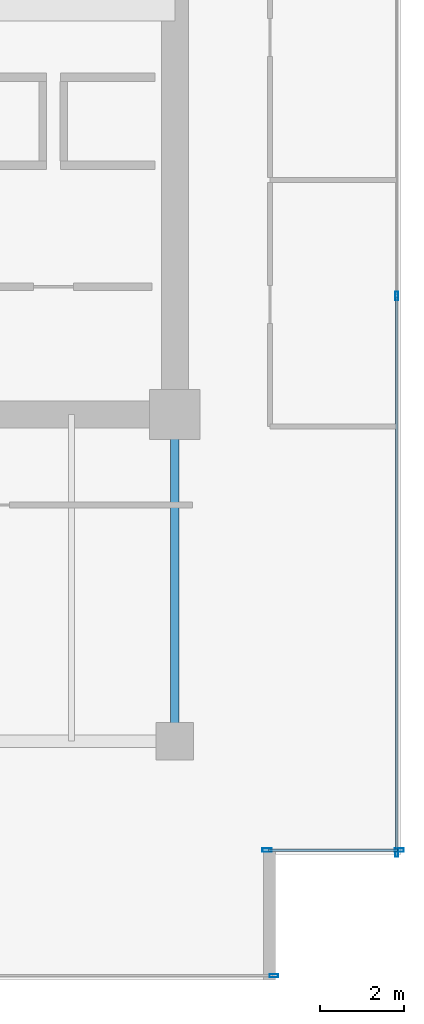
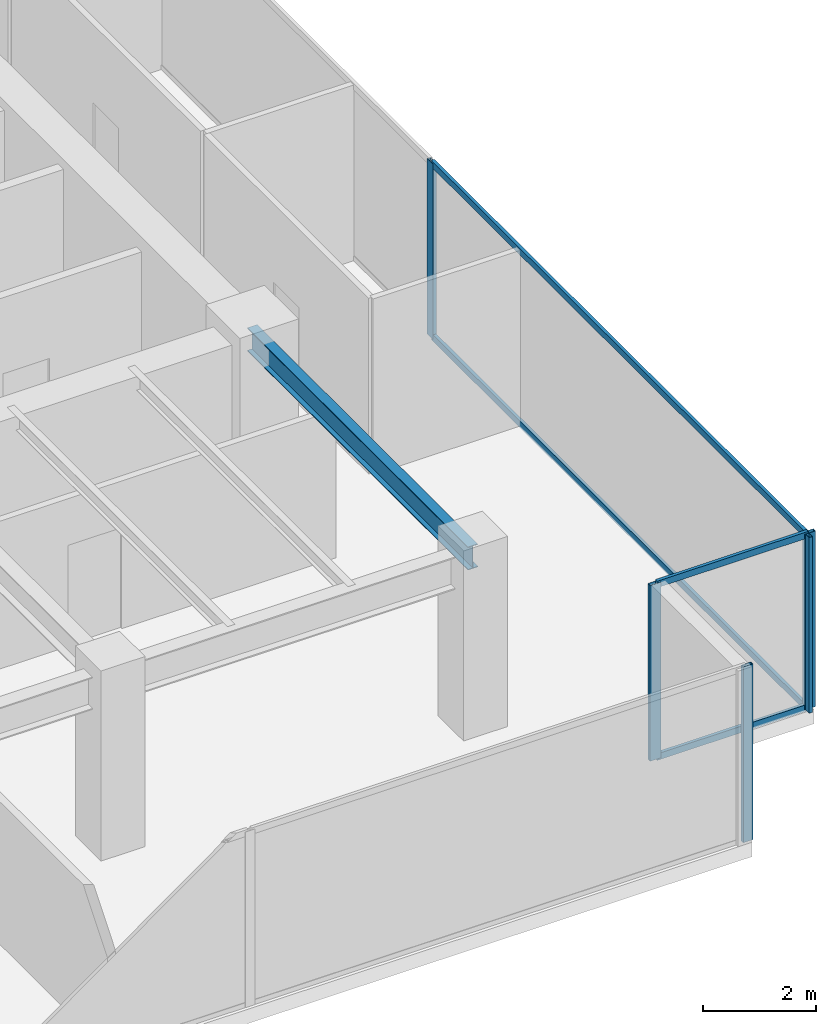
# One storey, part 21 of 30: 9 members, 1 beam, 3 elements without a shape of their own.
"""IFC4 building model written with IfcOpenShell, lengths in metres."""

from ifc_helpers import new_model, si_unit, direction, frame, origin, origin_2d, place, context, subcontext, project, spatial, hollow_rectangle, i_section, extrude, source, transform, mapped, material, layer, layer_set, material_profile, profile_set, type_object, type_shapes, element, aggregate, save


model = new_model("IFC4")

# Units and contexts
model_context = context("Model", 3, precision=1e-05, world=origin(), true_north=direction((0.0, 1.0)))
body_context = subcontext(model_context, "Body", "Model", "MODEL_VIEW")
ifc_project = project(units=[si_unit("LENGTHUNIT", "METRE"), si_unit("AREAUNIT", "SQUARE_METRE"), si_unit("VOLUMEUNIT", "CUBIC_METRE"), si_unit("PLANEANGLEUNIT", "RADIAN"), si_unit("MASSUNIT", "GRAM", prefix="KILO")], contexts=[model_context])

# Site, building, storey
site_placement = place(None, origin())
site = spatial("IfcSite", under=ifc_project, at=site_placement, CompositionType="ELEMENT")
building_placement = place(site_placement, origin())
building = spatial("IfcBuilding", under=site, at=building_placement, Name="Haelvirn Gate Laboratories", CompositionType="ELEMENT")
storey_placement = place(building_placement, frame((0.0, 0.0, 170.699951171875)))
storey = spatial("IfcBuildingStorey", under=building, at=storey_placement, Name="L41", CompositionType="ELEMENT", Elevation=170.699951171875)

# Beam
ifc_material_1 = material(Name="Steel SM355", Category="steel")
ifc_material_profile_1 = material_profile(ifc_material_1, i_section(OverallWidth=0.199951171875, OverallDepth=0.5, WebThickness=0.010009765625, FlangeThickness=0.01611328125, at=origin_2d()), Name="H-500x200x10x16")
ifc_profile_set_1 = profile_set([ifc_material_profile_1], Name="Steel SM355")
beam_type = type_object("IfcBeamType", Name="BM-SP-500", PredefinedType="SPANDREL", material=ifc_profile_set_1)
shared_shape_1 = source(origin(), body_context, "Body", "SweptSolid", [
    extrude(i_section(OverallWidth=0.199951171875, OverallDepth=0.5, WebThickness=0.010009765625, FlangeThickness=0.01611328125, at=origin_2d()), origin(), (0.0, 0.0, 1.0), 7.800048828125),
])
type_shapes(beam_type, [shared_shape_1])
beam_placement = place(storey_placement, frame((67.39990234375, 7.0, 3.5400390625), z_axis=(0.0, 1.0, 0.0), x_axis=(-1.0, 0.0, 0.0)))
element("IfcBeam", 1, at=beam_placement, inside=storey, type_object=beam_type, Name="L41 Perimeter Spandrel X67.4 (7.0-14.8)", PredefinedType="SPANDREL", context=body_context, shape_type="MappedRepresentation", body=[
    mapped(shared_shape_1, transform((0.0, 0.0, 0.0), scale=1.0)),
])

# Curtain wall, members
ifc_material_2 = material(Name="Anodised bronze unitised aluminium & triple low-E glass", Category="aluminium")
ifc_layer_1 = layer(ifc_material_2, 0.181884765625, Name="CW-SYS-5")
ifc_layer_set_1 = layer_set([ifc_layer_1], Name="Anodised bronze unitised aluminium & triple low-E glass")
curtain_wall_type_1 = type_object("IfcCurtainWallType", Name="CW-SYS-5", PredefinedType="NOTDEFINED", material=ifc_layer_set_1)
curtain_wall_1_placement = place(storey_placement, origin())
curtain_wall_1 = element("IfcCurtainWall", 2, at=curtain_wall_1_placement, inside=storey, type_object=curtain_wall_type_1, Name="L41 Unitised Curtain Wall CW-L41-P0-E06-1", PredefinedType="NOTDEFINED")
ifc_material_3 = material(Name="Extruded aluminium 6063-T6 (anodised bronze)", Category="aluminium")
ifc_material_profile_2 = material_profile(ifc_material_3, hollow_rectangle(XDim=0.06494140625, YDim=0.139892578125, WallThickness=0.00390625, at=origin_2d()), Name="CWT-140x65x4")
ifc_profile_set_2 = profile_set([ifc_material_profile_2], Name="Extruded aluminium 6063-T6 (anodised bronze)")
member_type_1 = type_object("IfcMemberType", Name="CWT-T140", PredefinedType="USERDEFINED", material=ifc_profile_set_2)
shared_shape_2 = source(origin(), body_context, "Body", "SweptSolid", [
    extrude(hollow_rectangle(XDim=0.06494140625, YDim=0.139892578125, WallThickness=0.00390625, at=origin_2d()), origin(), (0.0, 0.0, 1.0), 3.080078125),
])
member_1_placement = place(storey_placement, frame((69.639892578125, 4.39990234375, 0.032470703125), z_axis=(1.0, 0.0, 0.0), x_axis=(0.0, 1.0, 0.0)))
member_1 = element("IfcMember", 3, at=member_1_placement, type_object=member_type_1, Name="CW5 transom 1.1", ObjectType="TRANSOM", PredefinedType="USERDEFINED", context=body_context, shape_type="MappedRepresentation", body=[
    mapped(shared_shape_2, transform((0.0, 0.0, 0.0), scale=1.0)),
])
member_2_placement = place(storey_placement, frame((69.639892578125, 4.39990234375, 3.757568359375), z_axis=(1.0, 0.0, 0.0), x_axis=(0.0, 1.0, 0.0)))
member_2 = element("IfcMember", 4, at=member_2_placement, type_object=member_type_1, Name="CW5 transom 1.2", ObjectType="TRANSOM", PredefinedType="USERDEFINED", context=body_context, shape_type="MappedRepresentation", body=[
    mapped(shared_shape_2, transform((0.0, 0.0, 0.0), scale=1.0)),
])

ifc_layer_2 = layer(ifc_material_2, 0.179931640625, Name="CW-SYS-3")
ifc_layer_set_2 = layer_set([ifc_layer_2], Name="Anodised bronze unitised aluminium & triple low-E glass")
curtain_wall_type_2 = type_object("IfcCurtainWallType", Name="CW-SYS-3", PredefinedType="NOTDEFINED", material=ifc_layer_set_2)
curtain_wall_2_placement = place(storey_placement, origin())
curtain_wall_2 = element("IfcCurtainWall", 5, at=curtain_wall_2_placement, inside=storey, type_object=curtain_wall_type_2, Name="L41 Unitised Curtain Wall CW-L41-P0-E07", PredefinedType="NOTDEFINED")
shared_shape_3 = source(origin(), body_context, "Body", "SweptSolid", [
    extrude(hollow_rectangle(XDim=0.06494140625, YDim=0.139892578125, WallThickness=0.00390625, at=origin_2d()), origin(), (0.0, 0.0, 1.0), 13.220947265625),
])
type_shapes(member_type_1, [shared_shape_2, shared_shape_3])
member_3_placement = place(storey_placement, frame((72.699951171875, 4.375, 0.032470703125), z_axis=(0.0, 1.0, 0.0), x_axis=(-1.0, 0.0, 0.0)))
member_3 = element("IfcMember", 6, at=member_3_placement, type_object=member_type_1, Name="CW3 transom 1.1", ObjectType="TRANSOM", PredefinedType="USERDEFINED", context=body_context, shape_type="MappedRepresentation", body=[
    mapped(shared_shape_3, transform((0.0, 0.0, 0.0), scale=1.0)),
])
member_4_placement = place(storey_placement, frame((72.699951171875, 4.375, 3.757568359375), z_axis=(0.0, 1.0, 0.0), x_axis=(-1.0, 0.0, 0.0)))
member_4 = element("IfcMember", 7, at=member_4_placement, type_object=member_type_1, Name="CW3 transom 1.2", ObjectType="TRANSOM", PredefinedType="USERDEFINED", context=body_context, shape_type="MappedRepresentation", body=[
    mapped(shared_shape_3, transform((0.0, 0.0, 0.0), scale=1.0)),
])

# Curtain wall, member
curtain_wall_3_placement = place(storey_placement, origin())
curtain_wall_3 = element("IfcCurtainWall", 8, at=curtain_wall_3_placement, inside=storey, type_object=curtain_wall_type_2, Name="L41 Unitised Curtain Wall CW-L41-P0-E04-1", PredefinedType="NOTDEFINED")
ifc_material_profile_3 = material_profile(ifc_material_3, hollow_rectangle(XDim=0.074951171875, YDim=0.199951171875, WallThickness=0.0048828125, at=origin_2d()), Name="CWM-200x75x5")
ifc_profile_set_3 = profile_set([ifc_material_profile_3], Name="Extruded aluminium 6063-T6 (anodised bronze)")
member_type_2 = type_object("IfcMemberType", Name="CWM-T200", PredefinedType="MULLION", material=ifc_profile_set_3)
shared_shape_4 = source(origin(), body_context, "Body", "SweptSolid", [
    extrude(hollow_rectangle(XDim=0.074951171875, YDim=0.199951171875, WallThickness=0.0048828125, at=origin_2d()), origin(), (0.0, 0.0, 1.0), 3.7900390625),
])
type_shapes(member_type_2, [shared_shape_4])
member_5_placement = place(storey_placement, frame((69.762451171875, 1.39990234375, 0.0), z_axis=(0.0, 0.0, 1.0), x_axis=(0.0, 1.0, 0.0)))
member_5 = element("IfcMember", 9, at=member_5_placement, type_object=member_type_2, Name="CW3 mullion 3", PredefinedType="MULLION", context=body_context, shape_type="MappedRepresentation", body=[
    mapped(shared_shape_4, transform((0.0, 0.0, 0.0), scale=1.0)),
])
aggregate(curtain_wall_3, [member_5])

# Member
member_6_placement = place(storey_placement, frame((72.699951171875, 4.33740234375, 0.0), z_axis=(0.0, 0.0, 1.0), x_axis=(-1.0, 0.0, 0.0)))
member_6 = element("IfcMember", 10, at=member_6_placement, type_object=member_type_2, Name="CW3 mullion 1", PredefinedType="MULLION", context=body_context, shape_type="MappedRepresentation", body=[
    mapped(shared_shape_4, transform((0.0, 0.0, 0.0), scale=1.0)),
])

member_7_placement = place(storey_placement, frame((72.699951171875, 17.63330078125, 0.0), z_axis=(0.0, 0.0, 1.0), x_axis=(-1.0, 0.0, 0.0)))
member_7 = element("IfcMember", 11, at=member_7_placement, type_object=member_type_2, Name="CW3 mullion 2", PredefinedType="MULLION", context=body_context, shape_type="MappedRepresentation", body=[
    mapped(shared_shape_4, transform((0.0, 0.0, 0.0), scale=1.0)),
])

aggregate(curtain_wall_2, [member_6, member_7, member_3, member_4])

ifc_material_profile_4 = material_profile(ifc_material_3, hollow_rectangle(XDim=0.080078125, YDim=0.219970703125, WallThickness=0.006103515625, at=origin_2d()), Name="CWM-220x80x6")
ifc_profile_set_4 = profile_set([ifc_material_profile_4], Name="Extruded aluminium 6063-T6 (anodised bronze)")
member_type_3 = type_object("IfcMemberType", Name="CWM-T220", PredefinedType="MULLION", material=ifc_profile_set_4)
shared_shape_5 = source(origin(), body_context, "Body", "SweptSolid", [
    extrude(hollow_rectangle(XDim=0.080078125, YDim=0.219970703125, WallThickness=0.006103515625, at=origin_2d()), origin(), (0.0, 0.0, 1.0), 3.7900390625),
])
type_shapes(member_type_3, [shared_shape_5])
member_8_placement = place(storey_placement, frame((69.60009765625, 4.39990234375, 0.0), z_axis=(0.0, 0.0, 1.0), x_axis=(0.0, 1.0, 0.0)))
member_8 = element("IfcMember", 12, at=member_8_placement, type_object=member_type_3, Name="CW5 mullion 1", PredefinedType="MULLION", context=body_context, shape_type="MappedRepresentation", body=[
    mapped(shared_shape_5, transform((0.0, 0.0, 0.0), scale=1.0)),
])

member_9_placement = place(storey_placement, frame((72.760009765625, 4.39990234375, 0.0), z_axis=(0.0, 0.0, 1.0), x_axis=(0.0, 1.0, 0.0)))
member_9 = element("IfcMember", 13, at=member_9_placement, type_object=member_type_3, Name="CW5 mullion 2", PredefinedType="MULLION", context=body_context, shape_type="MappedRepresentation", body=[
    mapped(shared_shape_5, transform((0.0, 0.0, 0.0), scale=1.0)),
])

aggregate(curtain_wall_1, [member_8, member_9, member_1, member_2])

save(model, "model.ifc")
